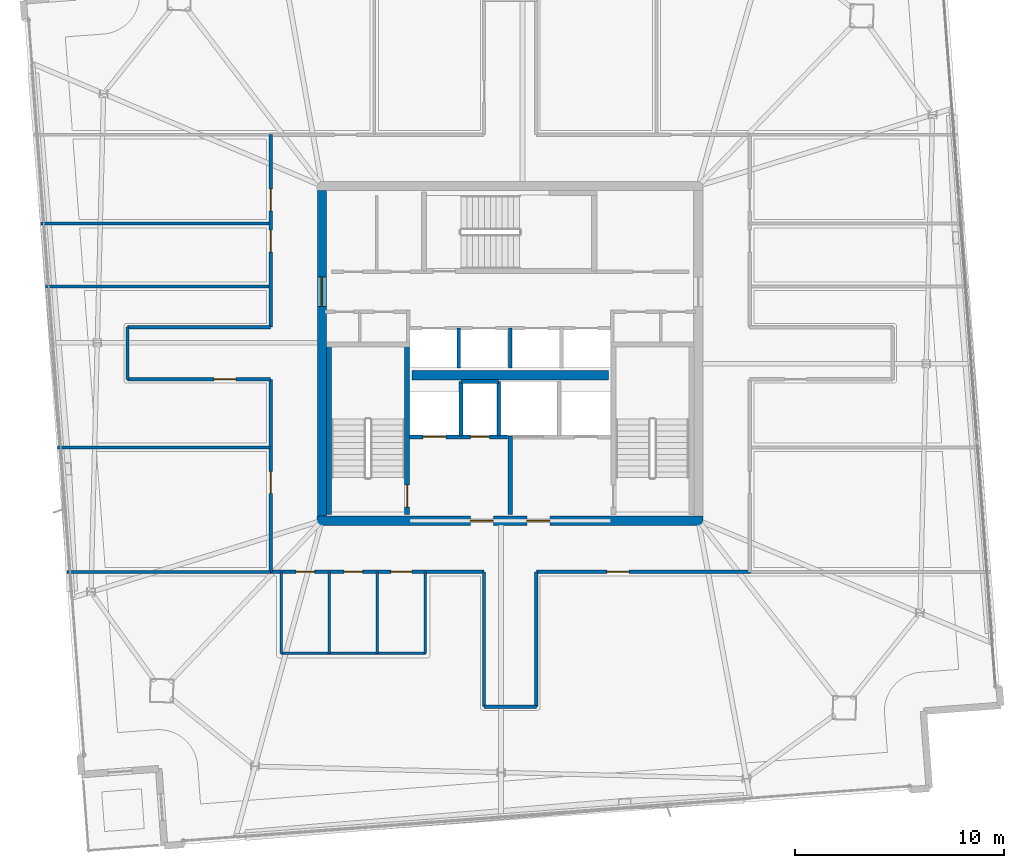
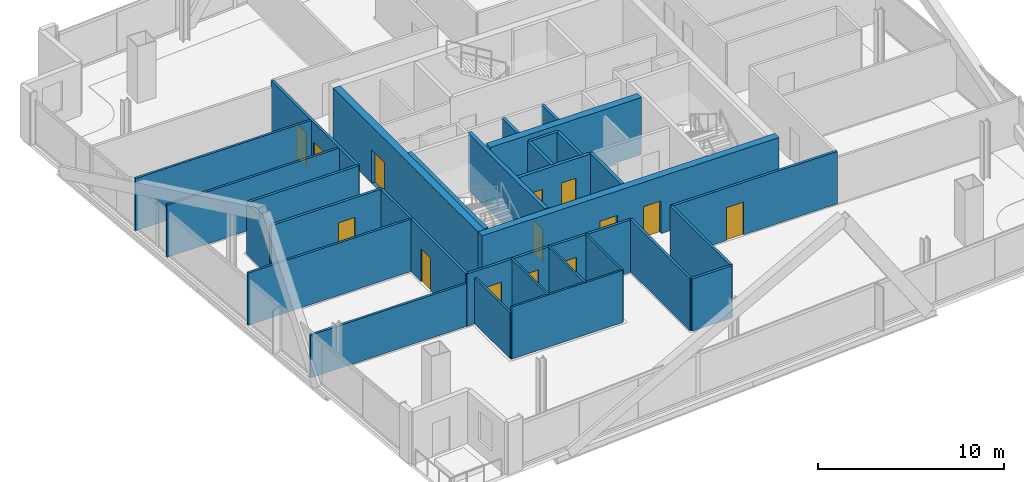
# One storey, part 17 of 23: 31 walls, 14 doors, 14 openings.
"""IFC4 building model written with IfcOpenShell, lengths in metres."""

import ifcopenshell
import ifcopenshell.guid

model = None  # the IFC model being written
_history = None  # IfcOwnerHistory: only IFC2X3 demands one
_inside = {}  # id of a spatial element -> (the spatial element, [elements in it])
_under = {}  # id of a project, library or spatial element -> (it, [spatial elements below it])
_declared = {}  # id of a project -> (the project, [libraries it declares])
_typed = {}  # id of a type object -> (the type object, [elements of that type])
_made_of = {}  # id of a material, layer set ... -> (it, [elements and type objects made of it])


def new_model(schema):
    """Start an empty IFC model of exactly this schema.

    Asked for "IFC4X3", IfcOpenShell would pick the latest addendum, in which some entities
    have other attributes; the version numbers below select the first issue.
    IFC2X3 requires an IfcOwnerHistory on every rooted entity: one is made here for all.
    """
    global model, _history
    if schema == "IFC4X3":
        model = ifcopenshell.file(schema_version=(4, 3, 0, 0))
    else:
        model = ifcopenshell.file(schema=schema)
    _inside.clear()
    _under.clear()
    _declared.clear()
    _typed.clear()
    _made_of.clear()
    _history = None
    if model.schema == "IFC2X3":
        org = make("IfcOrganization", Name="unknown")
        user = make(
            "IfcPersonAndOrganization",
            ThePerson=make("IfcPerson", FamilyName="unknown"),
            TheOrganization=org,
        )
        app = make(
            "IfcApplication",
            ApplicationDeveloper=org,
            Version="unknown",
            ApplicationFullName="unknown",
            ApplicationIdentifier="unknown",
        )
        _history = make(
            "IfcOwnerHistory",
            OwningUser=user,
            OwningApplication=app,
            ChangeAction="ADDED",
            CreationDate=0,
        )
    return model


def make(cls, **values):
    """One entity of the class cls with the attributes given. An attribute that is None is left unset."""
    return model.create_entity(
        cls, **{name: value for name, value in values.items() if value is not None}
    )


def rooted(cls, **values):
    """An entity with a GlobalId (a new one), such as an element, a storey or a relation."""
    return make(cls, GlobalId=ifcopenshell.guid.new(), OwnerHistory=_history, **values)


def si_unit(unit_type, name, prefix=None):
    """IfcSIUnit, for example si_unit("LENGTHUNIT", "METRE", prefix="MILLI")."""
    return make("IfcSIUnit", UnitType=unit_type, Prefix=prefix, Name=name)


def assignment(units):
    """IfcUnitAssignment: the units of a project."""
    return None if units is None else make("IfcUnitAssignment", Units=units)


def point(xyz):
    """IfcCartesianPoint."""
    return None if xyz is None else make("IfcCartesianPoint", Coordinates=xyz)


def direction(xyz):
    """IfcDirection."""
    return None if xyz is None else make("IfcDirection", DirectionRatios=xyz)


def frame(location, z_axis=None, x_axis=None):
    """IfcAxis2Placement3D, a coordinate frame: its origin and axes. An axis left out is left unset."""
    return make(
        "IfcAxis2Placement3D",
        Location=point(location),
        Axis=direction(z_axis),
        RefDirection=direction(x_axis),
    )


def frame_2d(location, x_axis=None):
    """IfcAxis2Placement2D, a coordinate frame in the plane: its origin and x axis."""
    return make(
        "IfcAxis2Placement2D", Location=point(location), RefDirection=direction(x_axis)
    )


def origin():
    """The frame at (0, 0, 0) with its axes left unset."""
    return frame((0.0, 0.0, 0.0))


def place(relative_to, where):
    """IfcLocalPlacement: puts the frame where relative to a parent placement (None: the world)."""
    return make(
        "IfcLocalPlacement", PlacementRelTo=relative_to, RelativePlacement=where
    )


def context(
    kind, dimensions, precision=None, world=None, true_north=None, identifier=None
):
    """IfcGeometricRepresentationContext, for example the 3D "Model" context."""
    return make(
        "IfcGeometricRepresentationContext",
        ContextIdentifier=identifier,
        ContextType=kind,
        CoordinateSpaceDimension=dimensions,
        Precision=precision,
        WorldCoordinateSystem=world,
        TrueNorth=true_north,
    )


def subcontext(parent, identifier, kind, view, scale=None):
    """IfcGeometricRepresentationSubContext, for example "Body" below "Model"."""
    return make(
        "IfcGeometricRepresentationSubContext",
        ContextIdentifier=identifier,
        ContextType=kind,
        ParentContext=parent,
        TargetScale=scale,
        TargetView=view,
    )


def project(units=None, contexts=None):
    """IfcProject with its units and contexts."""
    return rooted(
        "IfcProject",
        Name="project",
        RepresentationContexts=contexts,
        UnitsInContext=assignment(units),
    )


def spatial(cls, under=None, at=None, **own):
    """A site, building, storey or space (cls), placed at a placement, below another one or the project."""
    s = rooted(cls, ObjectPlacement=at, **own)
    if under is not None:
        _under.setdefault(under.id(), (under, []))[1].append(s)
    return s


def profile(cls, at=None, kind="AREA", **sizes):
    """A parametric profile (cls). Its sizes go by their IFC names, for example OverallWidth=200.0."""
    return make(cls, ProfileType=kind, Position=at, **sizes)


def rectangle(**sizes):
    """IfcRectangleProfileDef."""
    return profile("IfcRectangleProfileDef", **sizes)


def extrude(swept, where, along, depth):
    """IfcExtrudedAreaSolid: the profile swept, set in the frame where, extruded along a direction by depth."""
    return make(
        "IfcExtrudedAreaSolid",
        SweptArea=swept,
        Position=where,
        ExtrudedDirection=direction(along),
        Depth=depth,
    )


def shape(context_of_items, identifier, shape_type, items):
    """IfcShapeRepresentation: the items that make up one representation, for example the "Body"."""
    return make(
        "IfcShapeRepresentation",
        ContextOfItems=context_of_items,
        RepresentationIdentifier=identifier,
        RepresentationType=shape_type,
        Items=items,
    )


def material(Name=None, Category=None):
    """IfcMaterial."""
    return make("IfcMaterial", Name=Name, Category=Category)


def layer(
    of_material, thickness, ventilated=None, Name=None, Category=None, Priority=None
):
    """IfcMaterialLayer: one layer of a wall or slab, of a material (None: an air gap)."""
    return make(
        "IfcMaterialLayer",
        Material=of_material,
        LayerThickness=thickness,
        IsVentilated=ventilated,
        Name=Name,
        Category=Category,
        Priority=Priority,
    )


def layer_set(layers, Name=None):
    """IfcMaterialLayerSet."""
    return make("IfcMaterialLayerSet", MaterialLayers=layers, LayerSetName=Name)


def made_of(thing, what):
    """Note that an element or type object is made of a material, layer set ...; save() writes the relation."""
    if what is not None:
        _made_of.setdefault(what.id(), (what, []))[1].append(thing)
    return thing


def type_object(cls, material=None, **own):
    """A type object (cls), such as IfcWallType, which elements share."""
    return made_of(rooted(cls, **own), material)


def element(
    cls,
    number,
    at=None,
    inside=None,
    cuts=None,
    type_object=None,
    material=None,
    context=None,
    identifier="Body",
    shape_type=None,
    held_by="IfcProductDefinitionShape",
    body=None,
    shapes=None,
    **own,
):
    """One element of the class cls, such as IfcWall. Its Tag is "e" and its number.

    at: its placement. inside: the storey or other place that contains it. cuts: it is an
    opening in that element (IfcRelVoidsElement). A single representation is given by context,
    identifier, shape_type and body (its items); several are given by shapes. held_by: the class
    of the entity that holds the representations. save() writes the other relations.
    """
    e = rooted(cls, Tag="e%d" % number, ObjectPlacement=at, **own)
    if body is not None:
        shapes = [shape(context, identifier, shape_type, body)]
    if shapes is not None:
        e.Representation = make(held_by, Representations=shapes)
    if inside is not None:
        _inside.setdefault(inside.id(), (inside, []))[1].append(e)
    if cuts is not None:
        rooted(
            "IfcRelVoidsElement", RelatingBuildingElement=cuts, RelatedOpeningElement=e
        )
    if type_object is not None:
        _typed.setdefault(type_object.id(), (type_object, []))[1].append(e)
    return made_of(e, material)


def fill(opening, filler):
    """IfcRelFillsElement: the door or window that sits in an opening."""
    return rooted(
        "IfcRelFillsElement",
        RelatingOpeningElement=opening,
        RelatedBuildingElement=filler,
    )


def aggregate(whole, parts):
    """IfcRelAggregates: a whole, such as a stair, and the parts it consists of."""
    return rooted("IfcRelAggregates", RelatingObject=whole, RelatedObjects=parts)


def save(model, path):
    """Write the relations noted so far, then the file.

    IfcRelAggregates (storeys below a building ...), IfcRelContainedInSpatialStructure (elements
    in a storey), IfcRelDefinesByType, IfcRelAssociatesMaterial and IfcRelDeclares: one each for
    every whole, place, type object, material and project.
    """
    for whole, parts in _under.values():
        aggregate(whole, parts)
    for where, things in _inside.values():
        rooted(
            "IfcRelContainedInSpatialStructure",
            RelatedElements=things,
            RelatingStructure=where,
        )
    for kind, things in _typed.values():
        rooted("IfcRelDefinesByType", RelatedObjects=things, RelatingType=kind)
    for what, things in _made_of.values():
        rooted("IfcRelAssociatesMaterial", RelatedObjects=things, RelatingMaterial=what)
    for by, libraries in _declared.values():
        rooted("IfcRelDeclares", RelatingContext=by, RelatedDefinitions=libraries)
    model.write(path)


model = new_model("IFC4")

# Units and contexts
model_context = context("Model", 3, precision=1e-05, world=origin(), true_north=direction((0.0, 1.0)))
body_context = subcontext(model_context, "Body", "Model", "MODEL_VIEW")
ifc_project = project(units=[si_unit("LENGTHUNIT", "METRE"), si_unit("AREAUNIT", "SQUARE_METRE"), si_unit("VOLUMEUNIT", "CUBIC_METRE"), si_unit("PLANEANGLEUNIT", "RADIAN"), si_unit("MASSUNIT", "GRAM", prefix="KILO")], contexts=[model_context])

# Site, building, storey
site_placement = place(None, origin())
site = spatial("IfcSite", under=ifc_project, at=site_placement, CompositionType="ELEMENT")
building_placement = place(site_placement, origin())
building = spatial("IfcBuilding", under=site, at=building_placement, Name="Haldenkirk Collegiate Tower", CompositionType="ELEMENT")
storey_placement = place(building_placement, frame((0.0, 0.0, 343.949951171875)))
storey = spatial("IfcBuildingStorey", under=building, at=storey_placement, Name="L87", CompositionType="ELEMENT", Elevation=343.949951171875)

# Wall, openings, doors
ifc_material_1 = material(Name="Concrete f'c 55 MPa", Category="concrete")
ifc_layer_1 = layer(ifc_material_1, 0.449951171875)
ifc_layer_set_1 = layer_set([ifc_layer_1], Name="Concrete f'c 55 MPa")
wall_type_1 = type_object("IfcWallType", Name="WL-CORE-450", PredefinedType="SHEAR", material=ifc_layer_set_1)
wall_1_placement = place(storey_placement, frame((26.77490234375, 18.0, 0.0), z_axis=(0.0, 0.0, 1.0), x_axis=(1.0, 0.0, 0.0)))
wall_1 = element("IfcWall", 1, at=wall_1_placement, inside=storey, type_object=wall_type_1, Name="L87 central core shear wall S", PredefinedType="SHEAR", context=body_context, shape_type="SweptSolid", body=[
    extrude(rectangle(XDim=18.4501953125, YDim=0.449951171875, at=frame_2d((9.22509765625, 0.0))), origin(), (0.0, 0.0, 1.0), 3.75),
])
opening_1_placement = place(wall_1_placement, frame((7.324951171875, 0.0, 0.0)))
opening_1 = element("IfcOpeningElement", 2, at=opening_1_placement, cuts=wall_1, Name="Opening D-02", PredefinedType="OPENING", context=body_context, shape_type="SweptSolid", body=[
    extrude(rectangle(XDim=1.10009765625, YDim=2.14990234375, at=frame_2d((0.550048828125, 1.074951171875))), frame((0.0, 0.23486328125, 0.0), z_axis=(0.0, -1.0, 0.0), x_axis=(1.0, 0.0, 0.0)), (0.0, 0.0, 1.0), 0.469970703125),
])
opening_2_placement = place(wall_1_placement, frame((10.02490234375, 0.0, 0.0)))
opening_2 = element("IfcOpeningElement", 3, at=opening_2_placement, cuts=wall_1, Name="Opening D-02", PredefinedType="OPENING", context=body_context, shape_type="SweptSolid", body=[
    extrude(rectangle(XDim=1.10009765625, YDim=2.14990234375, at=frame_2d((0.550048828125, 1.074951171875))), frame((0.0, 0.23486328125, 0.0), z_axis=(0.0, -1.0, 0.0), x_axis=(1.0, 0.0, 0.0)), (0.0, 0.0, 1.0), 0.469970703125),
])
ifc_material_2 = material(Name="Galvanized fire-rated hollow steel door", Category="steel")
ifc_layer_2 = layer(ifc_material_2, 0.06005859375)
ifc_layer_set_2 = layer_set([ifc_layer_2], Name="Galvanized fire-rated hollow steel door")
door_type_1 = type_object("IfcDoorType", Name="DR-STAIR-FD90-1100", OperationType="NOTDEFINED", PredefinedType="DOOR", material=ifc_layer_set_2)
door_1_placement = place(opening_1_placement, origin())
door_1 = element("IfcDoor", 4, at=door_1_placement, inside=storey, type_object=door_type_1, Name="L87 Firefighting Lobby 1 door", OperationType="SINGLE_SWING_LEFT", OverallHeight=2.14990234375, OverallWidth=1.10009765625, PredefinedType="DOOR", context=body_context, shape_type="SweptSolid", body=[
    extrude(rectangle(XDim=1.10009765625, YDim=2.14990234375, at=frame_2d((0.550048828125, 1.074951171875))), frame((0.0, 0.02490234375, 0.0), z_axis=(0.0, -1.0, 0.0), x_axis=(1.0, 0.0, 0.0)), (0.0, 0.0, 1.0), 0.050048828125),
])
fill(opening_1, door_1)
door_2_placement = place(opening_2_placement, origin())
door_2 = element("IfcDoor", 5, at=door_2_placement, inside=storey, type_object=door_type_1, Name="L87 Firefighting Lobby 2 door", OperationType="SINGLE_SWING_RIGHT", OverallHeight=2.14990234375, OverallWidth=1.10009765625, PredefinedType="DOOR", context=body_context, shape_type="SweptSolid", body=[
    extrude(rectangle(XDim=1.10009765625, YDim=2.14990234375, at=frame_2d((0.550048828125, 1.074951171875))), frame((0.0, 0.02490234375, 0.0), z_axis=(0.0, -1.0, 0.0), x_axis=(1.0, 0.0, 0.0)), (0.0, 0.0, 1.0), 0.050048828125),
])
fill(opening_2, door_2)

# Wall, opening, door
wall_2_placement = place(storey_placement, frame((27.0, 18.22509765625, 0.0), z_axis=(0.0, 0.0, 1.0), x_axis=(0.0, 1.0, 0.0)))
wall_2 = element("IfcWall", 6, at=wall_2_placement, inside=storey, type_object=wall_type_1, Name="L87 central core shear wall W", PredefinedType="SHEAR", context=body_context, shape_type="SweptSolid", body=[
    extrude(rectangle(XDim=15.5498046875, YDim=0.449951171875, at=frame_2d((7.77490234375, 0.0))), origin(), (0.0, 0.0, 1.0), 3.75),
])
opening_3_placement = place(wall_2_placement, frame((10.014892578125, 0.0, 0.0)))
opening_3 = element("IfcOpeningElement", 7, at=opening_3_placement, cuts=wall_2, Name="Opening D-03", PredefinedType="OPENING", context=body_context, shape_type="SweptSolid", body=[
    extrude(rectangle(XDim=1.39990234375, YDim=2.199951171875, at=frame_2d((0.699951171875, 1.10009765625))), frame((0.0, 0.23486328125, 0.0), z_axis=(0.0, -1.0, 0.0), x_axis=(1.0, 0.0, 0.0)), (0.0, 0.0, 1.0), 0.469970703125),
])
ifc_layer_3 = layer(ifc_material_2, 0.06005859375)
ifc_layer_set_3 = layer_set([ifc_layer_3], Name="Galvanized fire-rated hollow steel door")
door_type_2 = type_object("IfcDoorType", Name="DR-LOBBY-FD90-1400", OperationType="NOTDEFINED", PredefinedType="DOOR", material=ifc_layer_set_3)
door_3_placement = place(opening_3_placement, origin())
door_3 = element("IfcDoor", 8, at=door_3_placement, inside=storey, type_object=door_type_2, Name="L87 west lift lobby portal", OperationType="DOUBLE_DOOR_SINGLE_SWING", OverallHeight=2.199951171875, OverallWidth=1.39990234375, PredefinedType="DOOR", context=body_context, shape_type="SweptSolid", body=[
    extrude(rectangle(XDim=1.39990234375, YDim=2.199951171875, at=frame_2d((0.699951171875, 1.10009765625))), frame((0.0, 0.02490234375, 0.0), z_axis=(0.0, -1.0, 0.0), x_axis=(1.0, 0.0, 0.0)), (0.0, 0.0, 1.0), 0.050048828125),
])
fill(opening_3, door_3)

# Wall
wall_3_placement = place(storey_placement, frame((31.31005859375, 24.949951171875, 0.0), z_axis=(0.0, 0.0, 1.0), x_axis=(1.0, 0.0, 0.0)))
element("IfcWall", 9, at=wall_3_placement, inside=storey, type_object=wall_type_1, Name="L87 central core spine shear wall", PredefinedType="SHEAR", context=body_context, shape_type="SweptSolid", body=[
    extrude(rectangle(XDim=9.3798828125, YDim=0.449951171875, at=frame_2d((4.68994140625, 0.0))), origin(), (0.0, 0.0, 1.0), 3.75),
])

# Wall, openings, doors
ifc_material_3 = material(Name="Acoustic fire-rated gypsum partition", Category="concrete")
ifc_layer_4 = layer(ifc_material_3, 0.159912109375)
ifc_layer_set_4 = layer_set([ifc_layer_4], Name="Acoustic fire-rated gypsum partition")
wall_type_2 = type_object("IfcWallType", Name="WL-INT-CORR-160", PredefinedType="PARTITIONING", material=ifc_layer_set_4)
wall_4_placement = place(storey_placement, frame((24.5, 15.550048828125, 0.0), z_axis=(0.0, 0.0, 1.0), x_axis=(1.0, 0.0, 0.0)))
wall_4 = element("IfcWall", 10, at=wall_4_placement, inside=storey, type_object=wall_type_2, Name="L87 interior partition IW-L87-CS1", PredefinedType="PARTITIONING", context=body_context, shape_type="SweptSolid", body=[
    extrude(rectangle(XDim=10.25, YDim=0.159912109375, at=frame_2d((5.125, 0.0))), origin(), (0.0, 0.0, 1.0), 3.429931640625),
])
opening_4_placement = place(wall_4_placement, frame((1.25, 0.0, 0.0)))
opening_4 = element("IfcOpeningElement", 11, at=opening_4_placement, cuts=wall_4, Name="Opening D-13", PredefinedType="OPENING", context=body_context, shape_type="SweptSolid", body=[
    extrude(rectangle(XDim=0.89990234375, YDim=2.14990234375, at=frame_2d((0.449951171875, 1.074951171875))), frame((0.0, 0.08984375, 0.0), z_axis=(0.0, -1.0, 0.0), x_axis=(1.0, 0.0, 0.0)), (0.0, 0.0, 1.0), 0.179931640625),
])
opening_5_placement = place(wall_4_placement, frame((3.550048828125, 0.0, 0.0)))
opening_5 = element("IfcOpeningElement", 12, at=opening_5_placement, cuts=wall_4, Name="Opening D-13", PredefinedType="OPENING", context=body_context, shape_type="SweptSolid", body=[
    extrude(rectangle(XDim=0.89990234375, YDim=2.14990234375, at=frame_2d((0.449951171875, 1.074951171875))), frame((0.0, 0.08984375, 0.0), z_axis=(0.0, -1.0, 0.0), x_axis=(1.0, 0.0, 0.0)), (0.0, 0.0, 1.0), 0.179931640625),
])
opening_6_placement = place(wall_4_placement, frame((5.800048828125, 0.0, 0.0)))
opening_6 = element("IfcOpeningElement", 13, at=opening_6_placement, cuts=wall_4, Name="Opening D-14", PredefinedType="OPENING", context=body_context, shape_type="SweptSolid", body=[
    extrude(rectangle(XDim=1.0, YDim=2.14990234375, at=frame_2d((0.5, 1.074951171875))), frame((0.0, 0.08984375, 0.0), z_axis=(0.0, -1.0, 0.0), x_axis=(1.0, 0.0, 0.0)), (0.0, 0.0, 1.0), 0.179931640625),
])
ifc_material_4 = material(Name="Solid-core architectural oak fire door", Category="wood")
ifc_layer_5 = layer(ifc_material_4, 0.06005859375)
ifc_layer_set_5 = layer_set([ifc_layer_5], Name="Solid-core architectural oak fire door")
door_type_3 = type_object("IfcDoorType", Name="DR-INT-ACC-1000", OperationType="NOTDEFINED", PredefinedType="DOOR", material=ifc_layer_set_5)
door_4_placement = place(opening_6_placement, origin())
door_4 = element("IfcDoor", 14, at=door_4_placement, inside=storey, type_object=door_type_3, Name="L87 Accessible WC door", OperationType="SINGLE_SWING_RIGHT", OverallHeight=2.14990234375, OverallWidth=1.0, PredefinedType="DOOR", context=body_context, shape_type="SweptSolid", body=[
    extrude(rectangle(XDim=1.0, YDim=2.14990234375, at=frame_2d((0.5, 1.074951171875))), frame((0.0, 0.02490234375, 0.0), z_axis=(0.0, -1.0, 0.0), x_axis=(1.0, 0.0, 0.0)), (0.0, 0.0, 1.0), 0.050048828125),
])
fill(opening_6, door_4)
ifc_layer_6 = layer(ifc_material_4, 0.06005859375)
ifc_layer_set_6 = layer_set([ifc_layer_6], Name="Solid-core architectural oak fire door")
door_type_4 = type_object("IfcDoorType", Name="DR-INT-STD-900", OperationType="NOTDEFINED", PredefinedType="DOOR", material=ifc_layer_set_6)
door_5_placement = place(opening_4_placement, origin())
door_5 = element("IfcDoor", 15, at=door_5_placement, inside=storey, type_object=door_type_4, Name="L87 Male WC door", OperationType="SINGLE_SWING_RIGHT", OverallHeight=2.14990234375, OverallWidth=0.89990234375, PredefinedType="DOOR", context=body_context, shape_type="SweptSolid", body=[
    extrude(rectangle(XDim=0.89990234375, YDim=2.14990234375, at=frame_2d((0.449951171875, 1.074951171875))), frame((0.0, 0.02490234375, 0.0), z_axis=(0.0, -1.0, 0.0), x_axis=(1.0, 0.0, 0.0)), (0.0, 0.0, 1.0), 0.050048828125),
])
fill(opening_4, door_5)
door_6_placement = place(opening_5_placement, origin())
door_6 = element("IfcDoor", 16, at=door_6_placement, inside=storey, type_object=door_type_4, Name="L87 Female WC door", OperationType="SINGLE_SWING_LEFT", OverallHeight=2.14990234375, OverallWidth=0.89990234375, PredefinedType="DOOR", context=body_context, shape_type="SweptSolid", body=[
    extrude(rectangle(XDim=0.89990234375, YDim=2.14990234375, at=frame_2d((0.449951171875, 1.074951171875))), frame((0.0, 0.02490234375, 0.0), z_axis=(0.0, -1.0, 0.0), x_axis=(1.0, 0.0, 0.0)), (0.0, 0.0, 1.0), 0.050048828125),
])
fill(opening_5, door_6)

# Wall, opening, door
wall_5_placement = place(storey_placement, frame((37.25, 15.550048828125, 0.0), z_axis=(0.0, 0.0, 1.0), x_axis=(1.0, 0.0, 0.0)))
wall_5 = element("IfcWall", 17, at=wall_5_placement, inside=storey, type_object=wall_type_2, Name="L87 interior partition IW-L87-CS2", PredefinedType="PARTITIONING", context=body_context, shape_type="SweptSolid", body=[
    extrude(rectangle(XDim=10.25, YDim=0.159912109375, at=frame_2d((5.125, 0.0))), origin(), (0.0, 0.0, 1.0), 3.429931640625),
])
opening_7_placement = place(wall_5_placement, frame((3.3701171875, 0.0, 0.0)))
opening_7 = element("IfcOpeningElement", 18, at=opening_7_placement, cuts=wall_5, Name="Opening D-09", PredefinedType="OPENING", context=body_context, shape_type="SweptSolid", body=[
    extrude(rectangle(XDim=1.050048828125, YDim=2.14990234375, at=frame_2d((0.52490234375, 1.074951171875))), frame((0.0, 0.08984375, 0.0), z_axis=(0.0, -1.0, 0.0), x_axis=(1.0, 0.0, 0.0)), (0.0, 0.0, 1.0), 0.179931640625),
])
ifc_layer_7 = layer(ifc_material_4, 0.06005859375)
ifc_layer_set_7 = layer_set([ifc_layer_7], Name="Solid-core architectural oak fire door")
door_type_5 = type_object("IfcDoorType", Name="DR-INT-FD60-1050", OperationType="NOTDEFINED", PredefinedType="DOOR", material=ifc_layer_set_7)
door_7_placement = place(opening_7_placement, origin())
door_7 = element("IfcDoor", 19, at=door_7_placement, inside=storey, type_object=door_type_5, Name="L87 Hospitality Tea Kitchen 1 door", OperationType="SINGLE_SWING_LEFT", OverallHeight=2.14990234375, OverallWidth=1.050048828125, PredefinedType="DOOR", context=body_context, shape_type="SweptSolid", body=[
    extrude(rectangle(XDim=1.050048828125, YDim=2.14990234375, at=frame_2d((0.52490234375, 1.074951171875))), frame((0.0, 0.02490234375, 0.0), z_axis=(0.0, -1.0, 0.0), x_axis=(1.0, 0.0, 0.0)), (0.0, 0.0, 1.0), 0.050048828125),
])
fill(opening_7, door_7)

wall_6_placement = place(storey_placement, frame((24.550048828125, 15.550048828125, 0.0), z_axis=(0.0, 0.0, 1.0), x_axis=(0.0, 1.0, 0.0)))
wall_6 = element("IfcWall", 20, at=wall_6_placement, inside=storey, type_object=wall_type_2, Name="L87 interior partition IW-L87-CW1", PredefinedType="PARTITIONING", context=body_context, shape_type="SweptSolid", body=[
    extrude(rectangle(XDim=9.199951171875, YDim=0.159912109375, at=frame_2d((4.60009765625, 0.0))), origin(), (0.0, 0.0, 1.0), 3.429931640625),
])
opening_8_placement = place(wall_6_placement, frame((3.7470703125, 0.0, 0.0)))
opening_8 = element("IfcOpeningElement", 21, at=opening_8_placement, cuts=wall_6, Name="Opening D-09", PredefinedType="OPENING", context=body_context, shape_type="SweptSolid", body=[
    extrude(rectangle(XDim=1.050048828125, YDim=2.14990234375, at=frame_2d((0.52490234375, 1.074951171875))), frame((0.0, 0.08984375, 0.0), z_axis=(0.0, -1.0, 0.0), x_axis=(1.0, 0.0, 0.0)), (0.0, 0.0, 1.0), 0.179931640625),
])
door_8_placement = place(opening_8_placement, origin())
door_8 = element("IfcDoor", 22, at=door_8_placement, inside=storey, type_object=door_type_5, Name="L87 Wet Science Laboratory 5 door", OperationType="SINGLE_SWING_LEFT", OverallHeight=2.14990234375, OverallWidth=1.050048828125, PredefinedType="DOOR", context=body_context, shape_type="SweptSolid", body=[
    extrude(rectangle(XDim=1.050048828125, YDim=2.14990234375, at=frame_2d((0.52490234375, 1.074951171875))), frame((0.0, 0.02490234375, 0.0), z_axis=(0.0, -1.0, 0.0), x_axis=(1.0, 0.0, 0.0)), (0.0, 0.0, 1.0), 0.050048828125),
])
fill(opening_8, door_8)

# Wall, openings, doors
wall_7_placement = place(storey_placement, frame((24.550048828125, 27.25, 0.0), z_axis=(0.0, 0.0, 1.0), x_axis=(0.0, 1.0, 0.0)))
wall_7 = element("IfcWall", 23, at=wall_7_placement, inside=storey, type_object=wall_type_2, Name="L87 interior partition IW-L87-CW2", PredefinedType="PARTITIONING", context=body_context, shape_type="SweptSolid", body=[
    extrude(rectangle(XDim=9.199951171875, YDim=0.159912109375, at=frame_2d((4.60009765625, 0.0))), origin(), (0.0, 0.0, 1.0), 3.429931640625),
])
opening_9_placement = place(wall_7_placement, frame((3.5849609375, 0.0, 0.0)))
opening_9 = element("IfcOpeningElement", 24, at=opening_9_placement, cuts=wall_7, Name="Opening D-09", PredefinedType="OPENING", context=body_context, shape_type="SweptSolid", body=[
    extrude(rectangle(XDim=1.050048828125, YDim=2.14990234375, at=frame_2d((0.52490234375, 1.074951171875))), frame((0.0, 0.08984375, 0.0), z_axis=(0.0, -1.0, 0.0), x_axis=(1.0, 0.0, 0.0)), (0.0, 0.0, 1.0), 0.179931640625),
])
opening_10_placement = place(wall_7_placement, frame((5.55908203125, 0.0, 0.0)))
opening_10 = element("IfcOpeningElement", 25, at=opening_10_placement, cuts=wall_7, Name="Opening D-09", PredefinedType="OPENING", context=body_context, shape_type="SweptSolid", body=[
    extrude(rectangle(XDim=1.050048828125, YDim=2.14990234375, at=frame_2d((0.52490234375, 1.074951171875))), frame((0.0, 0.08984375, 0.0), z_axis=(0.0, -1.0, 0.0), x_axis=(1.0, 0.0, 0.0)), (0.0, 0.0, 1.0), 0.179931640625),
])
door_9_placement = place(opening_9_placement, origin())
door_9 = element("IfcDoor", 26, at=door_9_placement, inside=storey, type_object=door_type_5, Name="L87 Hospitality Tea Kitchen 7 door", OperationType="SINGLE_SWING_LEFT", OverallHeight=2.14990234375, OverallWidth=1.050048828125, PredefinedType="DOOR", context=body_context, shape_type="SweptSolid", body=[
    extrude(rectangle(XDim=1.050048828125, YDim=2.14990234375, at=frame_2d((0.52490234375, 1.074951171875))), frame((0.0, 0.02490234375, 0.0), z_axis=(0.0, -1.0, 0.0), x_axis=(1.0, 0.0, 0.0)), (0.0, 0.0, 1.0), 0.050048828125),
])
fill(opening_9, door_9)
door_10_placement = place(opening_10_placement, origin())
door_10 = element("IfcDoor", 27, at=door_10_placement, inside=storey, type_object=door_type_5, Name="L87 Catering Tea Kitchen 8 door", OperationType="SINGLE_SWING_RIGHT", OverallHeight=2.14990234375, OverallWidth=1.050048828125, PredefinedType="DOOR", context=body_context, shape_type="SweptSolid", body=[
    extrude(rectangle(XDim=1.050048828125, YDim=2.14990234375, at=frame_2d((0.52490234375, 1.074951171875))), frame((0.0, 0.02490234375, 0.0), z_axis=(0.0, -1.0, 0.0), x_axis=(1.0, 0.0, 0.0)), (0.0, 0.0, 1.0), 0.050048828125),
])
fill(opening_10, door_10)

# Walls
for number, where, z_axis, x_axis, name in (
    (28, (34.75, 9.10009765625, 0.0), (0.0, 0.0, 1.0), (0.0, 1.0, 0.0), "L87 interior partition IW-L87-SPW"),
    (29, (37.25, 9.10009765625, 0.0), (0.0, 0.0, 1.0), (0.0, 1.0, 0.0), "L87 interior partition IW-L87-SPE"),
):
    element("IfcWall", number, at=place(storey_placement, frame(where, z_axis=z_axis, x_axis=x_axis)), inside=storey, type_object=wall_type_2, Name=name, PredefinedType="PARTITIONING", context=body_context, shape_type="SweptSolid", body=[
        extrude(rectangle(XDim=6.449951171875, YDim=0.159912109375, at=frame_2d((3.22509765625, 0.0))), origin(), (0.0, 0.0, 1.0), 3.429931640625),
    ])
wall_8_placement = place(storey_placement, frame((34.75, 9.10009765625, 0.0), z_axis=(0.0, 0.0, 1.0), x_axis=(1.0, 0.0, 0.0)))
element("IfcWall", 30, at=wall_8_placement, inside=storey, type_object=wall_type_2, Name="L87 interior partition IW-L87-SPS", PredefinedType="PARTITIONING", context=body_context, shape_type="SweptSolid", body=[
    extrude(rectangle(XDim=2.5, YDim=0.159912109375, at=frame_2d((1.25, 0.0))), origin(), (0.0, 0.0, 1.0), 3.429931640625),
])

# Wall, opening, door
wall_9_placement = place(storey_placement, frame((17.699951171875, 24.75, 0.0), z_axis=(0.0, 0.0, 1.0), x_axis=(1.0, 0.0, 0.0)))
wall_9 = element("IfcWall", 31, at=wall_9_placement, inside=storey, type_object=wall_type_2, Name="L87 interior partition IW-L87-WPS", PredefinedType="PARTITIONING", context=body_context, shape_type="SweptSolid", body=[
    extrude(rectangle(XDim=6.85009765625, YDim=0.159912109375, at=frame_2d((3.425048828125, 0.0))), origin(), (0.0, 0.0, 1.0), 3.429931640625),
])
opening_11_placement = place(wall_9_placement, frame((4.133056640625, 0.0, 0.0)))
opening_11 = element("IfcOpeningElement", 32, at=opening_11_placement, cuts=wall_9, Name="Opening D-09", PredefinedType="OPENING", context=body_context, shape_type="SweptSolid", body=[
    extrude(rectangle(XDim=1.050048828125, YDim=2.14990234375, at=frame_2d((0.52490234375, 1.074951171875))), frame((0.0, 0.08984375, 0.0), z_axis=(0.0, -1.0, 0.0), x_axis=(1.0, 0.0, 0.0)), (0.0, 0.0, 1.0), 0.179931640625),
])
door_11_placement = place(opening_11_placement, origin())
door_11 = element("IfcDoor", 33, at=door_11_placement, inside=storey, type_object=door_type_5, Name="L87 Model Shop Laboratory 6 door", OperationType="SINGLE_SWING_RIGHT", OverallHeight=2.14990234375, OverallWidth=1.050048828125, PredefinedType="DOOR", context=body_context, shape_type="SweptSolid", body=[
    extrude(rectangle(XDim=1.050048828125, YDim=2.14990234375, at=frame_2d((0.52490234375, 1.074951171875))), frame((0.0, 0.02490234375, 0.0), z_axis=(0.0, -1.0, 0.0), x_axis=(1.0, 0.0, 0.0)), (0.0, 0.0, 1.0), 0.050048828125),
])
fill(opening_11, door_11)

# Walls
wall_10_placement = place(storey_placement, frame((17.699951171875, 27.25, 0.0), z_axis=(0.0, 0.0, 1.0), x_axis=(1.0, 0.0, 0.0)))
element("IfcWall", 34, at=wall_10_placement, inside=storey, type_object=wall_type_2, Name="L87 interior partition IW-L87-WPN", PredefinedType="PARTITIONING", context=body_context, shape_type="SweptSolid", body=[
    extrude(rectangle(XDim=6.85009765625, YDim=0.159912109375, at=frame_2d((3.425048828125, 0.0))), origin(), (0.0, 0.0, 1.0), 3.429931640625),
])
wall_11_placement = place(storey_placement, frame((17.699951171875, 24.75, 0.0), z_axis=(0.0, 0.0, 1.0), x_axis=(0.0, 1.0, 0.0)))
element("IfcWall", 35, at=wall_11_placement, inside=storey, type_object=wall_type_2, Name="L87 interior partition IW-L87-WPW", PredefinedType="PARTITIONING", context=body_context, shape_type="SweptSolid", body=[
    extrude(rectangle(XDim=2.5, YDim=0.159912109375, at=frame_2d((1.25, 0.0))), origin(), (0.0, 0.0, 1.0), 3.429931640625),
])
ifc_layer_8 = layer(ifc_material_3, 0.139892578125)
ifc_layer_set_8 = layer_set([ifc_layer_8], Name="Acoustic fire-rated gypsum partition")
wall_type_3 = type_object("IfcWallType", Name="WL-INT-DIV-140", PredefinedType="PARTITIONING", material=ifc_layer_set_8)
wall_12_placement = place(storey_placement, frame((14.81396484375, 15.550048828125, 0.0), z_axis=(0.0, 0.0, 1.0), x_axis=(1.0, 0.0, 0.0)))
element("IfcWall", 36, at=wall_12_placement, inside=storey, type_object=wall_type_3, Name="L87 interior partition IW-L87-BWS", PredefinedType="PARTITIONING", context=body_context, shape_type="SweptSolid", body=[
    extrude(rectangle(XDim=9.736083984375, YDim=0.139892578125, at=frame_2d((4.8681640625, 0.0))), origin(), (0.0, 0.0, 1.0), 2.80810546875),
])
wall_13_placement = place(storey_placement, frame((14.366455078125, 21.5, 0.0), z_axis=(0.0, 0.0, 1.0), x_axis=(1.0, 0.0, 0.0)))
element("IfcWall", 37, at=wall_13_placement, inside=storey, type_object=wall_type_3, Name="L87 interior partition IW-L87-RW1", PredefinedType="PARTITIONING", context=body_context, shape_type="SweptSolid", body=[
    extrude(rectangle(XDim=10.18359375, YDim=0.139892578125, at=frame_2d((5.091796875, 0.0))), origin(), (0.0, 0.0, 1.0), 3.429931640625),
])
wall_14_placement = place(storey_placement, frame((13.78759765625, 29.199951171875, 0.0), z_axis=(0.0, 0.0, 1.0), x_axis=(1.0, 0.0, 0.0)))
element("IfcWall", 38, at=wall_14_placement, inside=storey, type_object=wall_type_3, Name="L87 interior partition IW-L87-RW2", PredefinedType="PARTITIONING", context=body_context, shape_type="SweptSolid", body=[
    extrude(rectangle(XDim=10.762451171875, YDim=0.139892578125, at=frame_2d((5.38134765625, 0.0))), origin(), (0.0, 0.0, 1.0), 3.429931640625),
])
wall_15_placement = place(storey_placement, frame((13.56201171875, 32.199951171875, 0.0), z_axis=(0.0, 0.0, 1.0), x_axis=(1.0, 0.0, 0.0)))
element("IfcWall", 39, at=wall_15_placement, inside=storey, type_object=wall_type_3, Name="L87 interior partition IW-L87-RW3", PredefinedType="PARTITIONING", context=body_context, shape_type="SweptSolid", body=[
    extrude(rectangle(XDim=10.988037109375, YDim=0.139892578125, at=frame_2d((5.494140625, 0.0))), origin(), (0.0, 0.0, 1.0), 3.429931640625),
])
ifc_material_5 = material(Name="Fire-rated gypsum shaftboard assembly", Category="concrete")
ifc_layer_9 = layer(ifc_material_5, 0.179931640625)
ifc_layer_set_9 = layer_set([ifc_layer_9], Name="Fire-rated gypsum shaftboard assembly")
wall_type_4 = type_object("IfcWallType", Name="WL-INT-SHAFT-180", PredefinedType="PARTITIONING", material=ifc_layer_set_9)
for number, where, z_axis, x_axis, name in (
    (40, (33.64990234375, 22.050048828125, 0.0), (0.0, 0.0, 1.0), (0.0, 1.0, 0.0), "L87 interior partition IW-L87-FL1E"),
    (41, (35.449951171875, 22.050048828125, 0.0), (0.0, 0.0, 1.0), (0.0, 1.0, 0.0), "L87 interior partition IW-L87-GL1W"),
):
    element("IfcWall", number, at=place(storey_placement, frame(where, z_axis=z_axis, x_axis=x_axis)), inside=storey, type_object=wall_type_4, Name=name, PredefinedType="PARTITIONING", context=body_context, shape_type="SweptSolid", body=[
        extrude(rectangle(XDim=2.599853515625, YDim=0.179931640625, at=frame_2d((1.2998046875, 0.0))), origin(), (0.0, 0.0, 1.0), 3.429931640625),
    ])
wall_16_placement = place(storey_placement, frame((33.64990234375, 24.64990234375, 0.0), z_axis=(0.0, 0.0, 1.0), x_axis=(1.0, 0.0, 0.0)))
element("IfcWall", 42, at=wall_16_placement, inside=storey, type_object=wall_type_4, Name="L87 interior partition IW-L87-RSRN", PredefinedType="PARTITIONING", context=body_context, shape_type="SweptSolid", body=[
    extrude(rectangle(XDim=1.800048828125, YDim=0.179931640625, at=frame_2d((0.89990234375, 0.0))), origin(), (0.0, 0.0, 1.0), 3.429931640625),
])
for number, where, z_axis, x_axis, name in (
    (43, (33.5400390625, 25.300048828125, 0.0), (0.0, 0.0, 1.0), (0.0, 1.0, 0.0), "L87 interior partition IW-L87-PHV1"),
    (44, (36.0, 25.300048828125, 0.0), (0.0, 0.0, 1.0), (0.0, 1.0, 0.0), "L87 interior partition IW-L87-PHV2"),
):
    element("IfcWall", number, at=place(storey_placement, frame(where, z_axis=z_axis, x_axis=x_axis)), inside=storey, type_object=wall_type_4, Name=name, PredefinedType="PARTITIONING", context=body_context, shape_type="SweptSolid", body=[
        extrude(rectangle(XDim=1.89990234375, YDim=0.179931640625, at=frame_2d((0.949951171875, 0.0))), origin(), (0.0, 0.0, 1.0), 3.429931640625),
    ])
ifc_layer_10 = layer(ifc_material_5, 0.199951171875)
ifc_layer_set_10 = layer_set([ifc_layer_10], Name="Fire-rated gypsum shaftboard assembly")
wall_type_5 = type_object("IfcWallType", Name="WL-INT-SHAFT-200", PredefinedType="PARTITIONING", material=ifc_layer_set_10)
wall_17_placement = place(storey_placement, frame((36.0, 18.280029296875, 0.0), z_axis=(0.0, 0.0, 1.0), x_axis=(0.0, 1.0, 0.0)))
element("IfcWall", 45, at=wall_17_placement, inside=storey, type_object=wall_type_5, Name="L87 interior partition IW-L87-FFLM", PredefinedType="PARTITIONING", context=body_context, shape_type="SweptSolid", body=[
    extrude(rectangle(XDim=3.77001953125, YDim=0.199951171875, at=frame_2d((1.885009765625, 0.0))), origin(), (0.0, 0.0, 1.0), 3.429931640625),
])

# Wall, openings, doors
wall_18_placement = place(storey_placement, frame((31.18994140625, 22.0, 0.0), z_axis=(0.0, 0.0, 1.0), x_axis=(1.0, 0.0, 0.0)))
wall_18 = element("IfcWall", 46, at=wall_18_placement, inside=storey, type_object=wall_type_5, Name="L87 interior partition IW-L87-FFL1N", PredefinedType="PARTITIONING", context=body_context, shape_type="SweptSolid", body=[
    extrude(rectangle(XDim=4.68994140625, YDim=0.199951171875, at=frame_2d((2.344970703125, 0.0))), origin(), (0.0, 0.0, 1.0), 3.429931640625),
])
opening_12_placement = place(wall_18_placement, frame((2.909912109375, 0.0, 0.0)))
opening_12 = element("IfcOpeningElement", 47, at=opening_12_placement, cuts=wall_18, Name="Opening D-06", PredefinedType="OPENING", context=body_context, shape_type="SweptSolid", body=[
    extrude(rectangle(XDim=0.89990234375, YDim=2.14990234375, at=frame_2d((0.449951171875, 1.074951171875))), frame((0.0, 0.10986328125, 0.0), z_axis=(0.0, -1.0, 0.0), x_axis=(1.0, 0.0, 0.0)), (0.0, 0.0, 1.0), 0.219970703125),
])
opening_13_placement = place(wall_18_placement, frame((0.635009765625, 0.0, 0.0)))
opening_13 = element("IfcOpeningElement", 48, at=opening_13_placement, cuts=wall_18, Name="Opening LD-12", PredefinedType="OPENING", context=body_context, shape_type="SweptSolid", body=[
    extrude(rectangle(XDim=1.10009765625, YDim=2.14990234375, at=frame_2d((0.550048828125, 1.074951171875))), frame((0.0, 0.10986328125, 0.0), z_axis=(0.0, -1.0, 0.0), x_axis=(1.0, 0.0, 0.0)), (0.0, 0.0, 1.0), 0.219970703125),
])
ifc_layer_11 = layer(ifc_material_2, 0.06005859375)
ifc_layer_set_11 = layer_set([ifc_layer_11], Name="Galvanized fire-rated hollow steel door")
door_type_6 = type_object("IfcDoorType", Name="DR-INT-FD90-900", OperationType="NOTDEFINED", PredefinedType="DOOR", material=ifc_layer_set_11)
door_12_placement = place(opening_12_placement, origin())
door_12 = element("IfcDoor", 49, at=door_12_placement, inside=storey, type_object=door_type_6, Name="L87 electrical riser door", OperationType="SINGLE_SWING_LEFT", OverallHeight=2.14990234375, OverallWidth=0.89990234375, PredefinedType="DOOR", context=body_context, shape_type="SweptSolid", body=[
    extrude(rectangle(XDim=0.89990234375, YDim=2.14990234375, at=frame_2d((0.449951171875, 1.074951171875))), frame((0.0, 0.02490234375, 0.0), z_axis=(0.0, -1.0, 0.0), x_axis=(1.0, 0.0, 0.0)), (0.0, 0.0, 1.0), 0.050048828125),
])
fill(opening_12, door_12)
ifc_material_6 = material(Name="Brushed architectural stainless steel", Category="steel")
ifc_layer_12 = layer(ifc_material_6, 0.06005859375)
ifc_layer_set_12 = layer_set([ifc_layer_12], Name="Brushed architectural stainless steel")
door_type_7 = type_object("IfcDoorType", Name="LD-FIRE-1100", OperationType="NOTDEFINED", PredefinedType="DOOR", material=ifc_layer_set_12)
door_13_placement = place(opening_13_placement, origin())
door_13 = element("IfcDoor", 50, at=door_13_placement, inside=storey, type_object=door_type_7, Name="L87 Elevator FL1 sliding landing door", OperationType="SLIDING_TO_LEFT", OverallHeight=2.14990234375, OverallWidth=1.10009765625, PredefinedType="DOOR", context=body_context, shape_type="SweptSolid", body=[
    extrude(rectangle(XDim=1.10009765625, YDim=2.14990234375, at=frame_2d((0.550048828125, 1.074951171875))), frame((0.0, 0.02490234375, 0.0), z_axis=(0.0, -1.0, 0.0), x_axis=(1.0, 0.0, 0.0)), (0.0, 0.0, 1.0), 0.050048828125),
])
fill(opening_13, door_13)

# Walls
ifc_layer_13 = layer(ifc_material_3, 0.1201171875)
ifc_layer_set_13 = layer_set([ifc_layer_13], Name="Acoustic fire-rated gypsum partition")
wall_type_6 = type_object("IfcWallType", Name="WL-INT-WET-120", PredefinedType="PARTITIONING", material=ifc_layer_set_13)
wall_19_placement = place(storey_placement, frame((25.050048828125, 11.64990234375, 0.0), z_axis=(0.0, 0.0, 1.0), x_axis=(0.0, 1.0, 0.0)))
element("IfcWall", 51, at=wall_19_placement, inside=storey, type_object=wall_type_6, Name="L87 interior partition IW-L87-WCW", PredefinedType="PARTITIONING", context=body_context, shape_type="SweptSolid", body=[
    extrude(rectangle(XDim=3.900146484375, YDim=0.1201171875, at=frame_2d((1.9501953125, 0.0))), origin(), (0.0, 0.0, 1.0), 3.01904296875),
])
for number, where, z_axis, x_axis, name in (
    (52, (27.35009765625, 11.64990234375, 0.0), (0.0, 0.0, 1.0), (0.0, 1.0, 0.0), "L87 interior partition IW-L87-WC1"),
    (53, (29.64990234375, 11.64990234375, 0.0), (0.0, 0.0, 1.0), (0.0, 1.0, 0.0), "L87 interior partition IW-L87-WC2"),
    (54, (31.949951171875, 11.64990234375, 0.0), (0.0, 0.0, 1.0), (0.0, 1.0, 0.0), "L87 interior partition IW-L87-WCE"),
):
    element("IfcWall", number, at=place(storey_placement, frame(where, z_axis=z_axis, x_axis=x_axis)), inside=storey, type_object=wall_type_6, Name=name, PredefinedType="PARTITIONING", context=body_context, shape_type="SweptSolid", body=[
        extrude(rectangle(XDim=3.900146484375, YDim=0.1201171875, at=frame_2d((1.9501953125, 0.0))), origin(), (0.0, 0.0, 1.0), 3.429931640625),
    ])
wall_20_placement = place(storey_placement, frame((25.050048828125, 11.64990234375, 0.0), z_axis=(0.0, 0.0, 1.0), x_axis=(1.0, 0.0, 0.0)))
element("IfcWall", 55, at=wall_20_placement, inside=storey, type_object=wall_type_6, Name="L87 interior partition IW-L87-WCB", PredefinedType="PARTITIONING", context=body_context, shape_type="SweptSolid", body=[
    extrude(rectangle(XDim=6.89990234375, YDim=0.1201171875, at=frame_2d((3.449951171875, 0.0))), origin(), (0.0, 0.0, 1.0), 3.429931640625),
])

# Wall, opening, door
ifc_layer_14 = layer(ifc_material_1, 0.239990234375)
ifc_layer_set_14 = layer_set([ifc_layer_14], Name="Concrete f'c 55 MPa")
wall_type_7 = type_object("IfcWallType", Name="WL-SHAFT-240", PredefinedType="SHEAR", material=ifc_layer_set_14)
wall_21_placement = place(storey_placement, frame((31.070068359375, 18.280029296875, 0.0), z_axis=(0.0, 0.0, 1.0), x_axis=(0.0, 1.0, 0.0)))
wall_21 = element("IfcWall", 56, at=wall_21_placement, inside=storey, type_object=wall_type_7, Name="L87 stair shaft shear wall SW-L87-ST1E", PredefinedType="SHEAR", context=body_context, shape_type="SweptSolid", body=[
    extrude(rectangle(XDim=8.260009765625, YDim=0.239990234375, at=frame_2d((4.1298828125, 0.0))), origin(), (0.0, 0.0, 1.0), 3.75),
])
opening_14_placement = place(wall_21_placement, frame((0.364990234375, 0.0, 0.0)))
opening_14 = element("IfcOpeningElement", 57, at=opening_14_placement, cuts=wall_21, Name="Opening D-01", PredefinedType="OPENING", context=body_context, shape_type="SweptSolid", body=[
    extrude(rectangle(XDim=1.050048828125, YDim=2.14990234375, at=frame_2d((0.52490234375, 1.074951171875))), frame((0.0, 0.1298828125, 0.0), z_axis=(0.0, -1.0, 0.0), x_axis=(1.0, 0.0, 0.0)), (0.0, 0.0, 1.0), 0.260009765625),
])
ifc_layer_15 = layer(ifc_material_2, 0.06005859375)
ifc_layer_set_15 = layer_set([ifc_layer_15], Name="Galvanized fire-rated hollow steel door")
door_type_8 = type_object("IfcDoorType", Name="DR-STAIR-FD90-1050", OperationType="NOTDEFINED", PredefinedType="DOOR", material=ifc_layer_set_15)
door_14_placement = place(opening_14_placement, origin())
door_14 = element("IfcDoor", 58, at=door_14_placement, inside=storey, type_object=door_type_8, Name="L87 Stair 1 door", OperationType="SINGLE_SWING_LEFT", OverallHeight=2.14990234375, OverallWidth=1.050048828125, PredefinedType="DOOR", context=body_context, shape_type="SweptSolid", body=[
    extrude(rectangle(XDim=1.050048828125, YDim=2.14990234375, at=frame_2d((0.52490234375, 1.074951171875))), frame((0.0, 0.02490234375, 0.0), z_axis=(0.0, -1.0, 0.0), x_axis=(1.0, 0.0, 0.0)), (0.0, 0.0, 1.0), 0.050048828125),
])
fill(opening_14, door_14)

# Wall
wall_22_placement = place(storey_placement, frame((27.330078125, 18.280029296875, 0.0), z_axis=(0.0, 0.0, 1.0), x_axis=(0.0, 1.0, 0.0)))
element("IfcWall", 59, at=wall_22_placement, inside=storey, type_object=wall_type_7, Name="L87 stair shaft shear wall SW-L87-ST1W", PredefinedType="SHEAR", context=body_context, shape_type="SweptSolid", body=[
    extrude(rectangle(XDim=8.260009765625, YDim=0.239990234375, at=frame_2d((4.1298828125, 0.0))), origin(), (0.0, 0.0, 1.0), 3.75),
])

save(model, "model.ifc")
